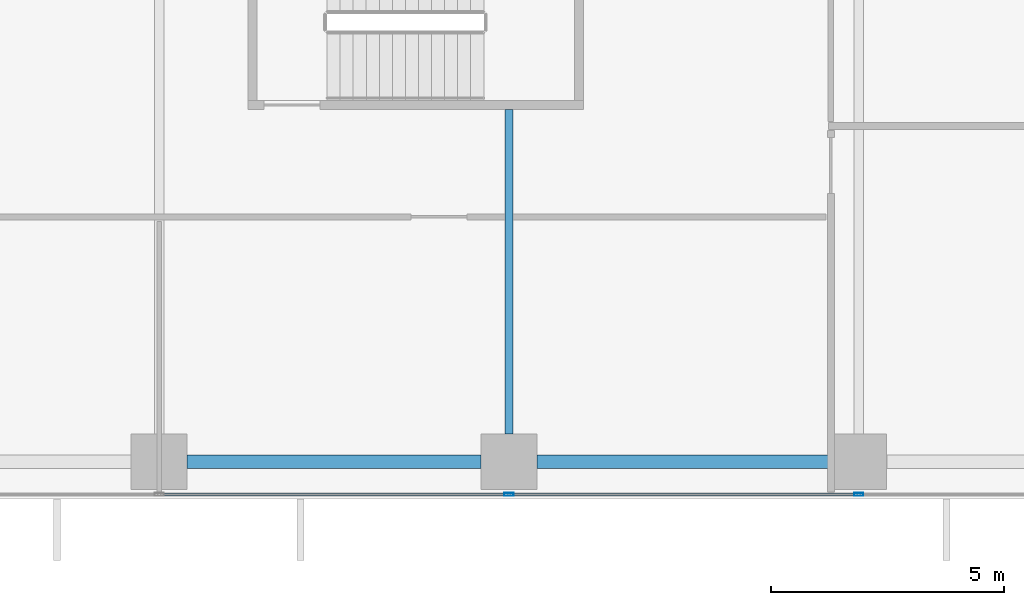
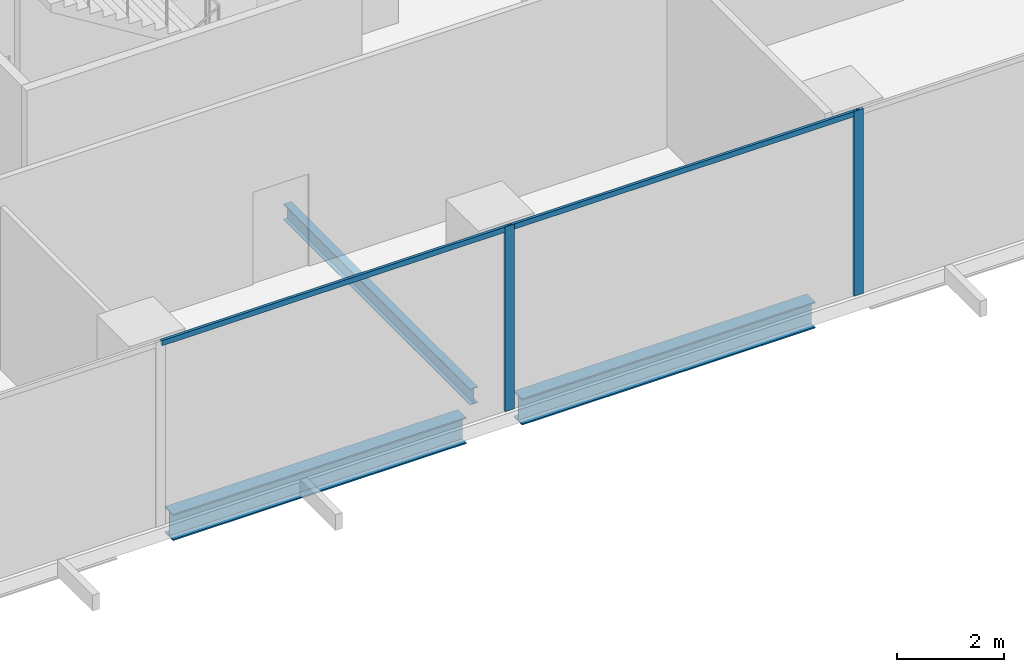
# One storey, part 3 of 32: 4 members, 3 beams, 1 element without a shape of its own.
"""IFC4 building model written with IfcOpenShell, lengths in metres."""

from ifc_helpers import new_model, si_unit, direction, frame, origin, origin_2d, place, context, subcontext, project, spatial, hollow_rectangle, i_section, extrude, source, transform, mapped, material, material_profile, profile_set, type_object, element, aggregate, save


model = new_model("IFC4")

# Units and contexts
model_context = context("Model", 3, precision=1e-05, world=origin(), true_north=direction((0.0, 1.0)))
body_context = subcontext(model_context, "Body", "Model", "MODEL_VIEW")
ifc_project = project(units=[si_unit("LENGTHUNIT", "METRE"), si_unit("AREAUNIT", "SQUARE_METRE"), si_unit("VOLUMEUNIT", "CUBIC_METRE"), si_unit("PLANEANGLEUNIT", "RADIAN"), si_unit("MASSUNIT", "GRAM", prefix="KILO")], contexts=[model_context])

# Site, building, storey
site_placement = place(None, origin())
site = spatial("IfcSite", under=ifc_project, at=site_placement, CompositionType="ELEMENT")
building_placement = place(site_placement, origin())
building = spatial("IfcBuilding", under=site, at=building_placement, Name="Khomas Fold Tower", CompositionType="ELEMENT")
storey_placement = place(building_placement, frame((0.0, 0.0, 42.0)))
storey = spatial("IfcBuildingStorey", under=building, at=storey_placement, Name="L08", CompositionType="ELEMENT", Elevation=42.0)

# Beams
ifc_material_1 = material(Name="Steel S355", Category="steel")
ifc_material_profile_1 = material_profile(ifc_material_1, i_section(OverallWidth=0.169921875, OverallDepth=0.360107421875, WebThickness=0.008056640625, FlangeThickness=0.0126953125, at=origin_2d()), Name="IPE 360")
ifc_profile_set_1 = profile_set([ifc_material_profile_1], Name="Steel S355")
beam_type_1 = type_object("IfcBeamType", Name="IPE 360 beam JB2", PredefinedType="BEAM", material=ifc_profile_set_1)
shared_shape_1 = source(origin(), body_context, "Body", "SweptSolid", [
    extrude(i_section(OverallWidth=0.169921875, OverallDepth=0.360107421875, WebThickness=0.008056640625, FlangeThickness=0.0126953125, at=origin_2d()), origin(), (0.0, 0.0, 1.0), 6.9501953125),
])
beam_placement = place(storey_placement, frame((19.5, 1.39990234375, -0.47998046875), z_axis=(0.0, 1.0, 0.0), x_axis=(-1.0, 0.0, 0.0)))
element("IfcBeam", 1, at=beam_placement, inside=storey, type_object=beam_type_1, Name="JB2", PredefinedType="BEAM", context=body_context, shape_type="MappedRepresentation", body=[
    mapped(shared_shape_1, transform((0.0, 0.0, 0.0))),
])
ifc_material_2 = material(Name="Steel S355", Category="steel")
ifc_material_profile_2 = material_profile(ifc_material_2, i_section(OverallWidth=0.300048828125, OverallDepth=0.60009765625, WebThickness=0.015380859375, FlangeThickness=0.030029296875, at=origin_2d()), Name="HE 600 B")
ifc_profile_set_2 = profile_set([ifc_material_profile_2], Name="Steel S355")
beam_type_2 = type_object("IfcBeamType", Name="HE 600 B spandrel SB1", PredefinedType="SPANDREL", material=ifc_profile_set_2)
shared_shape_2 = source(origin(), body_context, "Body", "SweptSolid", [
    extrude(i_section(OverallWidth=0.300048828125, OverallDepth=0.60009765625, WebThickness=0.015380859375, FlangeThickness=0.030029296875, at=origin_2d()), origin(), (0.0, 0.0, 1.0), 6.2998046875),
])
for number, where, z_axis, x_axis, name in (
    (2, (12.60009765625, 0.800048828125, -0.60009765625), (1.0, 0.0, 0.0), (0.0, 1.0, 0.0), "SB1"),
    (3, (20.10009765625, 0.800048828125, -0.60009765625), (1.0, 0.0, 0.0), (0.0, 1.0, 0.0), "SB1"),
):
    element("IfcBeam", number, at=place(storey_placement, frame(where, z_axis=z_axis, x_axis=x_axis)), inside=storey, type_object=beam_type_2, Name=name, PredefinedType="SPANDREL", context=body_context, shape_type="MappedRepresentation", body=[
        mapped(shared_shape_2, transform((0.0, 0.0, 0.0))),
    ])

# Curtain wall, members
ifc_material_3 = material(Name="Aluminium framed double glazing", Category="aluminium")
curtain_wall_type = type_object("IfcCurtainWallType", Name="SK-Unitised clear-glass wall, growing floors CW1", PredefinedType="NOTDEFINED", material=ifc_material_3)
curtain_wall_placement = place(storey_placement, origin())
curtain_wall = element("IfcCurtainWall", 4, at=curtain_wall_placement, inside=storey, type_object=curtain_wall_type, Name="CW1 run L08 00-0", PredefinedType="NOTDEFINED")
ifc_material_4 = material(Name="Aluminium", Category="aluminium")
ifc_material_profile_3 = material_profile(ifc_material_4, hollow_rectangle(XDim=0.06005859375, YDim=0.1201171875, WallThickness=0.00390625, at=origin_2d()), Name="SK-Unitised clear-glass wall, growing floors transom CW1-T")
ifc_profile_set_3 = profile_set([ifc_material_profile_3], Name="Aluminium")
member_type_1 = type_object("IfcMemberType", Name="SK-Unitised clear-glass wall, growing floors transom CW1-T", PredefinedType="USERDEFINED", material=ifc_profile_set_3)
shared_shape_3 = source(origin(), body_context, "Body", "SweptSolid", [
    extrude(hollow_rectangle(XDim=0.06005859375, YDim=0.1201171875, WallThickness=0.00390625, at=origin_2d()), origin(), (0.0, 0.0, 1.0), 7.43994140625),
])
member_1_placement = place(storey_placement, frame((12.030029296875, 0.10009765625, 4.139892578125), z_axis=(1.0, 0.0, 0.0), x_axis=(0.0, 1.0, 0.0)))
member_1 = element("IfcMember", 5, at=member_1_placement, type_object=member_type_1, Name="CW1 transom 3", ObjectType="TRANSOM", PredefinedType="USERDEFINED", context=body_context, shape_type="MappedRepresentation", body=[
    mapped(shared_shape_3, transform((0.0, 0.0, 0.0))),
])
member_2_placement = place(storey_placement, frame((19.530029296875, 0.10009765625, 4.139892578125), z_axis=(1.0, 0.0, 0.0), x_axis=(0.0, 1.0, 0.0)))
member_2 = element("IfcMember", 6, at=member_2_placement, type_object=member_type_1, Name="CW1 transom 4", ObjectType="TRANSOM", PredefinedType="USERDEFINED", context=body_context, shape_type="MappedRepresentation", body=[
    mapped(shared_shape_3, transform((0.0, 0.0, 0.0))),
])
ifc_material_5 = material(Name="Aluminium", Category="aluminium")
ifc_material_profile_4 = material_profile(ifc_material_5, hollow_rectangle(XDim=0.06005859375, YDim=0.199951171875, WallThickness=0.00390625, at=origin_2d()), Name="SK-Unitised clear-glass wall, growing floors mullion CW1-M")
ifc_profile_set_4 = profile_set([ifc_material_profile_4], Name="Aluminium")
member_type_2 = type_object("IfcMemberType", Name="SK-Unitised clear-glass wall, growing floors mullion CW1-M", PredefinedType="MULLION", material=ifc_profile_set_4)
shared_shape_4 = source(origin(), body_context, "Body", "SweptSolid", [
    extrude(hollow_rectangle(XDim=0.06005859375, YDim=0.199951171875, WallThickness=0.00390625, at=origin_2d()), origin(), (0.0, 0.0, 1.0), 4.199951171875),
])
member_3_placement = place(storey_placement, frame((19.5, 0.10009765625, 0.0), z_axis=(0.0, 0.0, 1.0), x_axis=(0.0, 1.0, 0.0)))
member_3 = element("IfcMember", 7, at=member_3_placement, type_object=member_type_2, Name="CW1 mullion 4", PredefinedType="MULLION", context=body_context, shape_type="MappedRepresentation", body=[
    mapped(shared_shape_4, transform((0.0, 0.0, 0.0))),
])
member_4_placement = place(storey_placement, frame((27.0, 0.10009765625, 0.0), z_axis=(0.0, 0.0, 1.0), x_axis=(0.0, 1.0, 0.0)))
member_4 = element("IfcMember", 8, at=member_4_placement, type_object=member_type_2, Name="CW1 mullion 5", PredefinedType="MULLION", context=body_context, shape_type="MappedRepresentation", body=[
    mapped(shared_shape_4, transform((0.0, 0.0, 0.0))),
])
aggregate(curtain_wall, [member_3, member_4, member_1, member_2])

save(model, "model.ifc")
